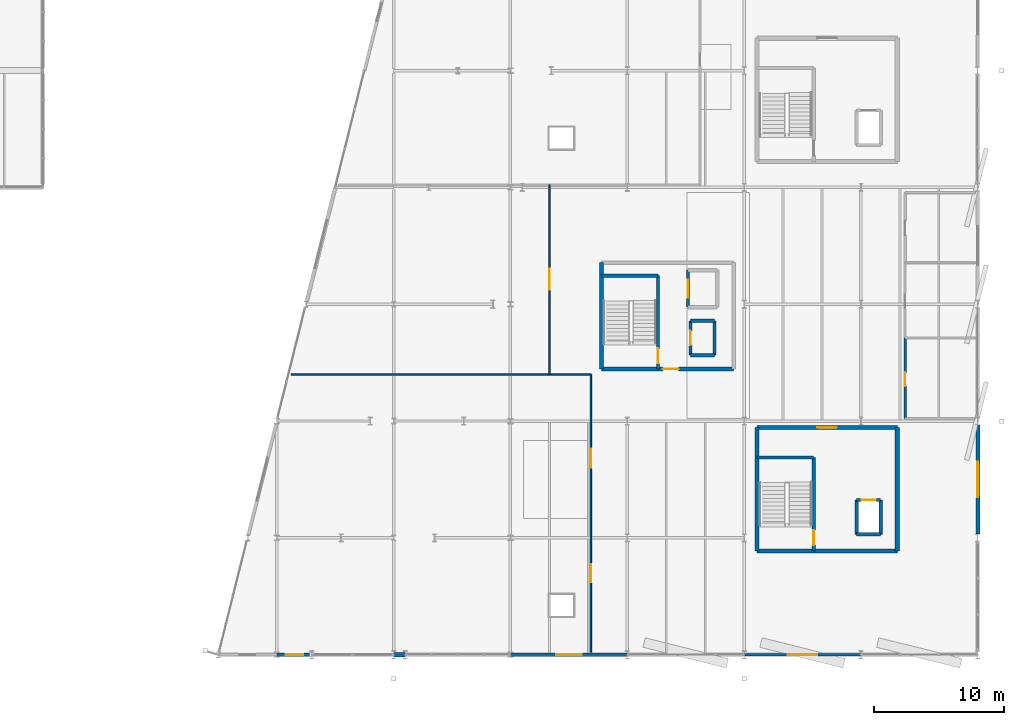
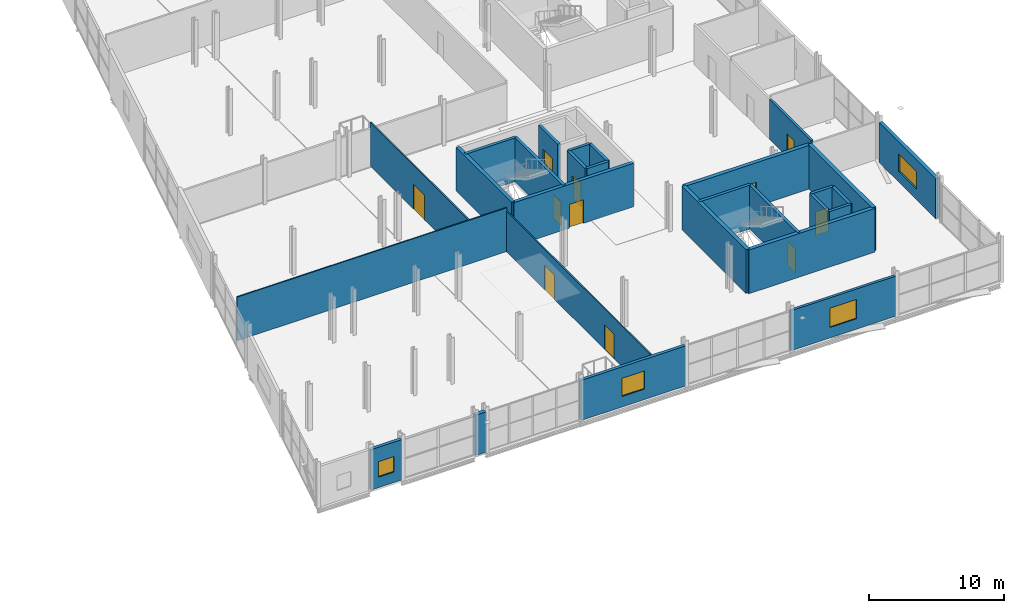
# One storey, part 73 of 88: 28 walls, 11 doors, 4 windows, 15 openings.
"""IFC4 building model written with IfcOpenShell, lengths in metres."""

from ifc_helpers import new_model, si_unit, direction, frame, frame_2d, origin, place, context, subcontext, project, spatial, rectangle, extrude, material, layer, layer_set, type_object, element, fill, save


model = new_model("IFC4")

# Units and contexts
model_context = context("Model", 3, precision=1e-05, world=origin(), true_north=direction((0.0, 1.0)))
body_context = subcontext(model_context, "Body", "Model", "MODEL_VIEW")
ifc_project = project(units=[si_unit("LENGTHUNIT", "METRE"), si_unit("AREAUNIT", "SQUARE_METRE"), si_unit("VOLUMEUNIT", "CUBIC_METRE"), si_unit("PLANEANGLEUNIT", "RADIAN"), si_unit("MASSUNIT", "GRAM", prefix="KILO")], contexts=[model_context])

# Site, building, storey
site_placement = place(None, origin())
site = spatial("IfcSite", under=ifc_project, at=site_placement, CompositionType="ELEMENT")
building_placement = place(site_placement, origin())
building = spatial("IfcBuilding", under=site, at=building_placement, Name="Deido Ridge Mobility Hub", CompositionType="ELEMENT")
storey_placement = place(building_placement, frame((0.0, 0.0, 16.800048828125)))
storey = spatial("IfcBuildingStorey", under=building, at=storey_placement, Name="L04", CompositionType="ELEMENT", Elevation=16.800048828125)

# Wall, opening, window
ifc_material_1 = material(Name="Powder-coated aluminium cladding EN AW-3003", Category="aluminium")
ifc_layer_1 = layer(ifc_material_1, 0.22509765625, Name="Powder-coated aluminium cladding EN AW-3003")
ifc_layer_set_1 = layer_set([ifc_layer_1], Name="Powder-coated aluminium cladding EN AW-3003")
wall_type_1 = type_object("IfcWallType", Name="WL-EXT-ALU-225", PredefinedType="STANDARD", material=ifc_layer_set_1)
wall_1_placement = place(storey_placement, frame((162.0078125, 0.0, 0.0), z_axis=(0.0, 0.0, 1.0), x_axis=(1.0, 0.0, 0.0)))
wall_1 = element("IfcWall", 1, at=wall_1_placement, inside=storey, type_object=wall_type_1, Name="Exterior wall EW6", PredefinedType="STANDARD", context=body_context, shape_type="SweptSolid", body=[
    extrude(rectangle(XDim=8.984375, YDim=0.22509765625, at=frame_2d((4.4921875, 0.0))), origin(), (0.0, 0.0, 1.0), 3.6298828125),
])
opening_1_placement = place(wall_1_placement, frame((3.3671875, 0.0, 0.949951171875)))
opening_1 = element("IfcOpeningElement", 2, at=opening_1_placement, cuts=wall_1, Name="Opening W10", PredefinedType="OPENING", context=body_context, shape_type="SweptSolid", body=[
    extrude(rectangle(XDim=2.25, YDim=1.75, at=frame_2d((1.125, 0.875))), frame((0.0, 0.12255859375, 0.0), z_axis=(0.0, -1.0, 0.0), x_axis=(1.0, 0.0, 0.0)), (0.0, 0.0, 1.0), 0.2451171875),
])
ifc_material_2 = material(Name="Laminated solar-control low-E glass", Category="glass")
window_type_1 = type_object("IfcWindowType", Name="WN-ALU-2250X1750", PartitioningType="DOUBLE_PANEL_VERTICAL", PredefinedType="WINDOW", material=ifc_material_2)
window_1_placement = place(opening_1_placement, origin())
window_1 = element("IfcWindow", 3, at=window_1_placement, inside=storey, type_object=window_type_1, Name="Exterior window W10", OverallHeight=1.75, OverallWidth=2.25, PartitioningType="SINGLE_PANEL", PredefinedType="WINDOW", context=body_context, shape_type="SweptSolid", body=[
    extrude(rectangle(XDim=2.25, YDim=1.75, at=frame_2d((1.125, 0.875))), frame((0.0, 0.030029296875, 0.0), z_axis=(0.0, -1.0, 0.0), x_axis=(1.0, 0.0, 0.0)), (0.0, 0.0, 1.0), 0.06005859375),
])
fill(opening_1, window_1)

ifc_material_3 = material(Name="Concrete blockwork masonry", Category="masonry")
ifc_layer_2 = layer(ifc_material_3, 0.264892578125, Name="Concrete blockwork masonry")
ifc_layer_set_2 = layer_set([ifc_layer_2], Name="Concrete blockwork masonry")
wall_type_2 = type_object("IfcWallType", Name="WL-EXT-BLK-265", PredefinedType="STANDARD", material=ifc_layer_set_2)
wall_2_placement = place(storey_placement, frame((144.0087890625, 0.0, 0.0), z_axis=(0.0, 0.0, 1.0), x_axis=(1.0, 0.0, 0.0)))
wall_2 = element("IfcWall", 4, at=wall_2_placement, inside=storey, type_object=wall_type_2, Name="Exterior wall EW3", PredefinedType="STANDARD", context=body_context, shape_type="SweptSolid", body=[
    extrude(rectangle(XDim=8.9833984375, YDim=0.264892578125, at=frame_2d((4.49169921875, 0.0))), origin(), (0.0, 0.0, 1.0), 3.6298828125),
])
opening_2_placement = place(wall_2_placement, frame((3.516845703125, 0.0, 0.949951171875)))
opening_2 = element("IfcOpeningElement", 5, at=opening_2_placement, cuts=wall_2, Name="Opening W8", PredefinedType="OPENING", context=body_context, shape_type="SweptSolid", body=[
    extrude(rectangle(XDim=1.949951171875, YDim=1.64990234375, at=frame_2d((0.97509765625, 0.824951171875))), frame((0.0, 0.142578125, 0.0), z_axis=(0.0, -1.0, 0.0), x_axis=(1.0, 0.0, 0.0)), (0.0, 0.0, 1.0), 0.284912109375),
])
window_type_2 = type_object("IfcWindowType", Name="WN-ALU-1950X1650", PartitioningType="DOUBLE_PANEL_VERTICAL", PredefinedType="WINDOW", material=ifc_material_2)
window_2_placement = place(opening_2_placement, origin())
window_2 = element("IfcWindow", 6, at=window_2_placement, inside=storey, type_object=window_type_2, Name="Exterior window W8", OverallHeight=1.64990234375, OverallWidth=1.949951171875, PartitioningType="SINGLE_PANEL", PredefinedType="WINDOW", context=body_context, shape_type="SweptSolid", body=[
    extrude(rectangle(XDim=1.949951171875, YDim=1.64990234375, at=frame_2d((0.97509765625, 0.824951171875))), frame((0.0, 0.030029296875, 0.0), z_axis=(0.0, -1.0, 0.0), x_axis=(1.0, 0.0, 0.0)), (0.0, 0.0, 1.0), 0.06005859375),
])
fill(opening_2, window_2)

ifc_material_4 = material(Name="Fired clay brick masonry", Category="masonry")
ifc_layer_3 = layer(ifc_material_4, 0.31005859375, Name="Fired clay brick masonry")
ifc_layer_set_3 = layer_set([ifc_layer_3], Name="Fired clay brick masonry")
wall_type_3 = type_object("IfcWallType", Name="WL-EXT-BRK-310", PredefinedType="STANDARD", material=ifc_layer_set_3)
wall_3_placement = place(storey_placement, frame((180.0, 9.300048828125, 0.0), z_axis=(0.0, 0.0, 1.0), x_axis=(0.0, 1.0, 0.0)))
wall_3 = element("IfcWall", 7, at=wall_3_placement, inside=storey, type_object=wall_type_3, Name="Exterior wall EW1", PredefinedType="STANDARD", context=body_context, shape_type="SweptSolid", body=[
    extrude(rectangle(XDim=8.39990234375, YDim=0.31005859375, at=frame_2d((4.199951171875, 0.0))), origin(), (0.0, 0.0, 1.0), 3.6298828125),
])
opening_3_placement = place(wall_3_placement, frame((2.85009765625, 0.0, 0.949951171875)))
opening_3 = element("IfcOpeningElement", 8, at=opening_3_placement, cuts=wall_3, Name="Opening W13", PredefinedType="OPENING", context=body_context, shape_type="SweptSolid", body=[
    extrude(rectangle(XDim=2.699951171875, YDim=1.60009765625, at=frame_2d((1.35009765625, 0.800048828125))), frame((0.0, 0.1650390625, 0.0), z_axis=(0.0, -1.0, 0.0), x_axis=(1.0, 0.0, 0.0)), (0.0, 0.0, 1.0), 0.330078125),
])
window_type_3 = type_object("IfcWindowType", Name="WN-ALU-2700X1600", PartitioningType="DOUBLE_PANEL_VERTICAL", PredefinedType="WINDOW", material=ifc_material_2)
window_3_placement = place(opening_3_placement, origin())
window_3 = element("IfcWindow", 9, at=window_3_placement, inside=storey, type_object=window_type_3, Name="Exterior window W13", OverallHeight=1.60009765625, OverallWidth=2.699951171875, PartitioningType="SINGLE_PANEL", PredefinedType="WINDOW", context=body_context, shape_type="SweptSolid", body=[
    extrude(rectangle(XDim=2.699951171875, YDim=1.60009765625, at=frame_2d((1.35009765625, 0.800048828125))), frame((0.0, 0.030029296875, 0.0), z_axis=(0.0, -1.0, 0.0), x_axis=(1.0, 0.0, 0.0)), (0.0, 0.0, 1.0), 0.06005859375),
])
fill(opening_3, window_3)

# Walls
ifc_material_5 = material(Name="Concrete C35/45", Category="concrete")
ifc_layer_4 = layer(ifc_material_5, 0.340087890625, Name="Concrete C35/45")
ifc_layer_set_4 = layer_set([ifc_layer_4], Name="Concrete C35/45")
wall_type_4 = type_object("IfcWallType", Name="WL-EXT-RC-340", PredefinedType="STANDARD", material=ifc_layer_set_4)
wall_4_placement = place(storey_placement, frame((135.0078125, 0.0, 0.0), z_axis=(0.0, 0.0, 1.0), x_axis=(1.0, 0.0, 0.0)))
element("IfcWall", 10, at=wall_4_placement, inside=storey, type_object=wall_type_4, Name="Exterior wall EW5", PredefinedType="STANDARD", context=body_context, shape_type="SweptSolid", body=[
    extrude(rectangle(XDim=0.884521484375, YDim=0.340087890625, at=frame_2d((0.4423828125, 0.0))), origin(), (0.0, 0.0, 1.0), 3.659912109375),
])
ifc_material_6 = material(Name="Treated tropical hardwood timber D40", Category="wood")
ifc_layer_5 = layer(ifc_material_6, 0.10498046875, Name="Treated tropical hardwood timber D40")
ifc_layer_set_5 = layer_set([ifc_layer_5], Name="Treated tropical hardwood timber D40")
wall_type_5 = type_object("IfcWallType", Name="WL-MOV-ACO-105", PredefinedType="MOVABLE", material=ifc_layer_set_5)
wall_5_placement = place(storey_placement, frame((127.10009765625, 21.60009765625, 0.0), z_axis=(0.0, 0.0, 1.0), x_axis=(1.0, 0.0, 0.0)))
element("IfcWall", 11, at=wall_5_placement, inside=storey, type_object=wall_type_5, Name="V6 south-central cross wall (L04)", PredefinedType="MOVABLE", context=body_context, shape_type="SweptSolid", body=[
    extrude(rectangle(XDim=23.099853515625, YDim=0.10498046875, at=frame_2d((11.5498046875, 0.0))), origin(), (0.0, 0.0, 1.0), 3.954833984375),
])

# Wall, opening, door
ifc_layer_6 = layer(ifc_material_6, 0.114990234375, Name="Treated tropical hardwood timber D40")
ifc_layer_set_6 = layer_set([ifc_layer_6], Name="Treated tropical hardwood timber D40")
wall_type_6 = type_object("IfcWallType", Name="WL-MOV-ACO-115", PredefinedType="MOVABLE", material=ifc_layer_set_6)
wall_6_placement = place(storey_placement, frame((147.0, 21.60009765625, 0.0), z_axis=(0.0, 0.0, 1.0), x_axis=(0.0, 1.0, 0.0)))
wall_6 = element("IfcWall", 12, at=wall_6_placement, inside=storey, type_object=wall_type_6, Name="V6 central room wall (L04)", PredefinedType="MOVABLE", context=body_context, shape_type="SweptSolid", body=[
    extrude(rectangle(XDim=14.599853515625, YDim=0.114990234375, at=frame_2d((7.2998046875, 0.0))), origin(), (0.0, 0.0, 1.0), 3.954833984375),
])
opening_4_placement = place(wall_6_placement, frame((6.5, 0.0, 0.0)))
opening_4 = element("IfcOpeningElement", 13, at=opening_4_placement, cuts=wall_6, Name="Opening DR-L04-178", PredefinedType="OPENING", context=body_context, shape_type="SweptSolid", body=[
    extrude(rectangle(XDim=1.64990234375, YDim=2.25, at=frame_2d((0.824951171875, 1.125))), frame((0.0, 0.0673828125, 0.0), z_axis=(0.0, -1.0, 0.0), x_axis=(1.0, 0.0, 0.0)), (0.0, 0.0, 1.0), 0.135009765625),
])
door_type_1 = type_object("IfcDoorType", Name="DR-INT-1650X2250", OperationType="DOUBLE_DOOR_SINGLE_SWING", PredefinedType="DOOR", material=ifc_material_6)
door_1_placement = place(opening_4_placement, origin())
door_1 = element("IfcDoor", 14, at=door_1_placement, inside=storey, type_object=door_type_1, Name="DR-I0178 V6 central room door (L04)", OperationType="DOUBLE_DOOR_SINGLE_SWING", OverallHeight=2.25, OverallWidth=1.64990234375, PredefinedType="DOOR", context=body_context, shape_type="SweptSolid", body=[
    extrude(rectangle(XDim=1.64990234375, YDim=2.25, at=frame_2d((0.824951171875, 1.125))), frame((0.0, 0.02490234375, 0.0), z_axis=(0.0, -1.0, 0.0), x_axis=(1.0, 0.0, 0.0)), (0.0, 0.0, 1.0), 0.050048828125),
])
fill(opening_4, door_1)

# Wall, opening, window
ifc_layer_7 = layer(ifc_material_4, 0.27490234375, Name="Fired clay brick masonry")
ifc_layer_set_7 = layer_set([ifc_layer_7], Name="Fired clay brick masonry")
wall_type_7 = type_object("IfcWallType", Name="WL-PLG-BRK-275", PredefinedType="POLYGONAL", material=ifc_layer_set_7)
wall_7_placement = place(storey_placement, frame((126.0087890625, 0.0, 0.0), z_axis=(0.0, 0.0, 1.0), x_axis=(1.0, 0.0, 0.0)))
wall_7 = element("IfcWall", 15, at=wall_7_placement, inside=storey, type_object=wall_type_7, Name="Exterior wall PGW1", PredefinedType="POLYGONAL", context=body_context, shape_type="SweptSolid", body=[
    extrude(rectangle(XDim=2.68359375, YDim=0.27490234375, at=frame_2d((1.341796875, 0.0))), origin(), (0.0, 0.0, 1.0), 3.659912109375),
])
opening_5_placement = place(wall_7_placement, frame((0.666748046875, 0.0, 0.949951171875)))
opening_5 = element("IfcOpeningElement", 16, at=opening_5_placement, cuts=wall_7, Name="Opening W4", PredefinedType="OPENING", context=body_context, shape_type="SweptSolid", body=[
    extrude(rectangle(XDim=1.35009765625, YDim=1.39990234375, at=frame_2d((0.675048828125, 0.699951171875))), frame((0.0, 0.1474609375, 0.0), z_axis=(0.0, -1.0, 0.0), x_axis=(1.0, 0.0, 0.0)), (0.0, 0.0, 1.0), 0.294921875),
])
window_type_4 = type_object("IfcWindowType", Name="WN-ALU-1350X1400", PartitioningType="SINGLE_PANEL", PredefinedType="WINDOW", material=ifc_material_2)
window_4_placement = place(opening_5_placement, origin())
window_4 = element("IfcWindow", 17, at=window_4_placement, inside=storey, type_object=window_type_4, Name="Exterior window W4", OverallHeight=1.39990234375, OverallWidth=1.35009765625, PartitioningType="SINGLE_PANEL", PredefinedType="WINDOW", context=body_context, shape_type="SweptSolid", body=[
    extrude(rectangle(XDim=1.35009765625, YDim=1.39990234375, at=frame_2d((0.675048828125, 0.699951171875))), frame((0.0, 0.030029296875, 0.0), z_axis=(0.0, -1.0, 0.0), x_axis=(1.0, 0.0, 0.0)), (0.0, 0.0, 1.0), 0.06005859375),
])
fill(opening_5, window_4)

# Wall, openings, doors
ifc_layer_8 = layer(ifc_material_3, 0.110107421875, Name="Concrete blockwork masonry")
ifc_layer_set_8 = layer_set([ifc_layer_8], Name="Concrete blockwork masonry")
wall_type_8 = type_object("IfcWallType", Name="WL-PRT-BLK-110", PredefinedType="PARTITIONING", material=ifc_layer_set_8)
wall_8_placement = place(storey_placement, frame((150.199951171875, 0.199951171875, 0.0), z_axis=(0.0, 0.0, 1.0), x_axis=(0.0, 1.0, 0.0)))
wall_8 = element("IfcWall", 18, at=wall_8_placement, inside=storey, type_object=wall_type_8, Name="V6 south-west suite wall (L04)", PredefinedType="PARTITIONING", context=body_context, shape_type="SweptSolid", body=[
    extrude(rectangle(XDim=21.400146484375, YDim=0.110107421875, at=frame_2d((10.7001953125, 0.0))), origin(), (0.0, 0.0, 1.0), 3.659912109375),
])
opening_6_placement = place(wall_8_placement, frame((5.39990234375, 0.0, 0.0)))
opening_6 = element("IfcOpeningElement", 19, at=opening_6_placement, cuts=wall_8, Name="Opening DR-L04-176", PredefinedType="OPENING", context=body_context, shape_type="SweptSolid", body=[
    extrude(rectangle(XDim=1.3798828125, YDim=2.199951171875, at=frame_2d((0.68994140625, 1.10009765625))), frame((0.0, 0.06494140625, 0.0), z_axis=(0.0, -1.0, 0.0), x_axis=(1.0, 0.0, 0.0)), (0.0, 0.0, 1.0), 0.130126953125),
])
opening_7_placement = place(wall_8_placement, frame((14.199951171875, 0.0, 0.0)))
opening_7 = element("IfcOpeningElement", 20, at=opening_7_placement, cuts=wall_8, Name="Opening DR-L04-177", PredefinedType="OPENING", context=body_context, shape_type="SweptSolid", body=[
    extrude(rectangle(XDim=1.449951171875, YDim=2.219970703125, at=frame_2d((0.72509765625, 1.10986328125))), frame((0.0, 0.06494140625, 0.0), z_axis=(0.0, -1.0, 0.0), x_axis=(1.0, 0.0, 0.0)), (0.0, 0.0, 1.0), 0.130126953125),
])
door_type_2 = type_object("IfcDoorType", Name="DR-INT-1380X2200", OperationType="NOTDEFINED", PredefinedType="DOOR", material=ifc_material_6)
door_2_placement = place(opening_6_placement, origin())
door_2 = element("IfcDoor", 21, at=door_2_placement, inside=storey, type_object=door_type_2, Name="DR-I0176 V6 south-west suite door 1 (L04)", OperationType="SINGLE_SWING_RIGHT", OverallHeight=2.199951171875, OverallWidth=1.3798828125, PredefinedType="DOOR", context=body_context, shape_type="SweptSolid", body=[
    extrude(rectangle(XDim=1.3798828125, YDim=2.199951171875, at=frame_2d((0.68994140625, 1.10009765625))), frame((0.0, 0.02490234375, 0.0), z_axis=(0.0, -1.0, 0.0), x_axis=(1.0, 0.0, 0.0)), (0.0, 0.0, 1.0), 0.050048828125),
])
fill(opening_6, door_2)
door_type_3 = type_object("IfcDoorType", Name="DR-INT-1450X2220", OperationType="DOUBLE_DOOR_SINGLE_SWING", PredefinedType="DOOR", material=ifc_material_6)
door_3_placement = place(opening_7_placement, origin())
door_3 = element("IfcDoor", 22, at=door_3_placement, inside=storey, type_object=door_type_3, Name="DR-I0177 V6 south-west suite door 2 (L04)", OperationType="DOUBLE_DOOR_SINGLE_SWING", OverallHeight=2.219970703125, OverallWidth=1.449951171875, PredefinedType="DOOR", context=body_context, shape_type="SweptSolid", body=[
    extrude(rectangle(XDim=1.449951171875, YDim=2.219970703125, at=frame_2d((0.72509765625, 1.10986328125))), frame((0.0, 0.02490234375, 0.0), z_axis=(0.0, -1.0, 0.0), x_axis=(1.0, 0.0, 0.0)), (0.0, 0.0, 1.0), 0.050048828125),
])
fill(opening_7, door_3)

# Wall, opening, door
ifc_layer_9 = layer(ifc_material_3, 0.179931640625, Name="Concrete blockwork masonry")
ifc_layer_set_9 = layer_set([ifc_layer_9], Name="Concrete blockwork masonry")
wall_type_9 = type_object("IfcWallType", Name="WL-PRT-BLK-180", PredefinedType="PARTITIONING", material=ifc_layer_set_9)
wall_9_placement = place(storey_placement, frame((174.39990234375, 18.199951171875, 0.0), z_axis=(0.0, 0.0, 1.0), x_axis=(0.0, 1.0, 0.0)))
wall_9 = element("IfcWall", 23, at=wall_9_placement, inside=storey, type_object=wall_type_9, Name="Male WC west wall (L04)", PredefinedType="PARTITIONING", context=body_context, shape_type="SweptSolid", body=[
    extrude(rectangle(XDim=6.199951171875, YDim=0.179931640625, at=frame_2d((3.10009765625, 0.0))), origin(), (0.0, 0.0, 1.0), 3.6298828125),
])
opening_8_placement = place(wall_9_placement, frame((2.5, 0.0, 0.0)))
opening_8 = element("IfcOpeningElement", 24, at=opening_8_placement, cuts=wall_9, Name="Opening DR-L04-173", PredefinedType="OPENING", context=body_context, shape_type="SweptSolid", body=[
    extrude(rectangle(XDim=1.050048828125, YDim=2.10009765625, at=frame_2d((0.52490234375, 1.050048828125))), frame((0.0, 0.10009765625, 0.0), z_axis=(0.0, -1.0, 0.0), x_axis=(1.0, 0.0, 0.0)), (0.0, 0.0, 1.0), 0.199951171875),
])
ifc_material_7 = material(Name="Galvanised steel work", Category="steel")
door_type_4 = type_object("IfcDoorType", Name="DR-FD60-1050X2100", OperationType="NOTDEFINED", PredefinedType="DOOR", material=ifc_material_7)
door_4_placement = place(opening_8_placement, origin())
door_4 = element("IfcDoor", 25, at=door_4_placement, inside=storey, type_object=door_type_4, Name="DR-I0173 Male WC door (L04)", OperationType="SINGLE_SWING_LEFT", OverallHeight=2.10009765625, OverallWidth=1.050048828125, PredefinedType="DOOR", context=body_context, shape_type="SweptSolid", body=[
    extrude(rectangle(XDim=1.050048828125, YDim=2.10009765625, at=frame_2d((0.52490234375, 1.050048828125))), frame((0.0, 0.02490234375, 0.0), z_axis=(0.0, -1.0, 0.0), x_axis=(1.0, 0.0, 0.0)), (0.0, 0.0, 1.0), 0.050048828125),
])
fill(opening_8, door_4)

ifc_material_8 = material(Name="Concrete C40/50", Category="concrete")
ifc_layer_10 = layer(ifc_material_8, 0.25, Name="Concrete C40/50")
ifc_layer_set_10 = layer_set([ifc_layer_10], Name="Concrete C40/50")
wall_type_10 = type_object("IfcWallType", Name="WL-SHR-RC-250", PredefinedType="SHEAR", material=ifc_layer_set_10)
wall_10_placement = place(storey_placement, frame((167.360107421875, 8.0, 0.0), z_axis=(0.0, 0.0, 1.0), x_axis=(0.0, 1.0, 0.0)))
wall_10 = element("IfcWall", 26, at=wall_10_placement, inside=storey, type_object=wall_type_10, Name="C1 stair shaft east wall", PredefinedType="SHEAR", context=body_context, shape_type="SweptSolid", body=[
    extrude(rectangle(XDim=7.199951171875, YDim=0.25, at=frame_2d((3.60009765625, 0.0))), origin(), (0.0, 0.0, 1.0), 3.954833984375),
])
opening_9_placement = place(wall_10_placement, frame((0.449951171875, 0.0, 0.0)))
opening_9 = element("IfcOpeningElement", 27, at=opening_9_placement, cuts=wall_10, Name="Opening FD-C1-L04", PredefinedType="OPENING", context=body_context, shape_type="SweptSolid", body=[
    extrude(rectangle(XDim=1.14990234375, YDim=2.14990234375, at=frame_2d((0.574951171875, 1.074951171875))), frame((0.0, 0.135009765625, 0.0), z_axis=(0.0, -1.0, 0.0), x_axis=(1.0, 0.0, 0.0)), (0.0, 0.0, 1.0), 0.27001953125),
])
door_type_5 = type_object("IfcDoorType", Name="DR-FD60-1150X2150", OperationType="NOTDEFINED", PredefinedType="DOOR", material=ifc_material_7)
door_5_placement = place(opening_9_placement, origin())
door_5 = element("IfcDoor", 28, at=door_5_placement, inside=storey, type_object=door_type_5, Name="DR-I0016 C1 protected stair door (L04)", OperationType="SINGLE_SWING_RIGHT", OverallHeight=2.14990234375, OverallWidth=1.14990234375, PredefinedType="DOOR", context=body_context, shape_type="SweptSolid", body=[
    extrude(rectangle(XDim=1.14990234375, YDim=2.14990234375, at=frame_2d((0.574951171875, 1.074951171875))), frame((0.0, 0.02490234375, 0.0), z_axis=(0.0, -1.0, 0.0), x_axis=(1.0, 0.0, 0.0)), (0.0, 0.0, 1.0), 0.050048828125),
])
fill(opening_9, door_5)

# Walls
wall_11_placement = place(storey_placement, frame((163.0, 15.199951171875, 0.0), z_axis=(0.0, 0.0, 1.0), x_axis=(1.0, 0.0, 0.0)))
element("IfcWall", 29, at=wall_11_placement, inside=storey, type_object=wall_type_10, Name="C1 stair shaft north wall", PredefinedType="SHEAR", context=body_context, shape_type="SweptSolid", body=[
    extrude(rectangle(XDim=4.360107421875, YDim=0.25, at=frame_2d((2.18017578125, 0.0))), origin(), (0.0, 0.0, 1.0), 3.954833984375),
])
wall_12_placement = place(storey_placement, frame((170.675048828125, 9.27490234375, 0.0), z_axis=(0.0, 0.0, 1.0), x_axis=(1.0, 0.0, 0.0)))
element("IfcWall", 30, at=wall_12_placement, inside=storey, type_object=wall_type_10, Name="Lift FL1 rear shaft wall", PredefinedType="SHEAR", context=body_context, shape_type="SweptSolid", body=[
    extrude(rectangle(XDim=1.849853515625, YDim=0.25, at=frame_2d((0.9248046875, 0.0))), origin(), (0.0, 0.0, 1.0), 3.954833984375),
])
for number, where, z_axis, x_axis, name in (
    (31, (170.675048828125, 9.27490234375, 0.0), (0.0, 0.0, 1.0), (0.0, 1.0, 0.0), "Lift FL1 west shaft wall"),
    (32, (172.52490234375, 9.27490234375, 0.0), (0.0, 0.0, 1.0), (0.0, 1.0, 0.0), "Lift FL1 east shaft wall"),
):
    element("IfcWall", number, at=place(storey_placement, frame(where, z_axis=z_axis, x_axis=x_axis)), inside=storey, type_object=wall_type_10, Name=name, PredefinedType="SHEAR", context=body_context, shape_type="SweptSolid", body=[
        extrude(rectangle(XDim=2.650146484375, YDim=0.25, at=frame_2d((1.3251953125, 0.0))), origin(), (0.0, 0.0, 1.0), 3.954833984375),
    ])

# Wall, opening, door
wall_13_placement = place(storey_placement, frame((170.675048828125, 11.925048828125, 0.0), z_axis=(0.0, 0.0, 1.0), x_axis=(1.0, 0.0, 0.0)))
wall_13 = element("IfcWall", 33, at=wall_13_placement, inside=storey, type_object=wall_type_10, Name="Lift FL1 landing wall", PredefinedType="SHEAR", context=body_context, shape_type="SweptSolid", body=[
    extrude(rectangle(XDim=1.849853515625, YDim=0.25, at=frame_2d((0.9248046875, 0.0))), origin(), (0.0, 0.0, 1.0), 3.954833984375),
])
opening_10_placement = place(wall_13_placement, frame((0.375, 0.0, 0.0)))
opening_10 = element("IfcOpeningElement", 34, at=opening_10_placement, cuts=wall_13, Name="Opening LD-FL1", PredefinedType="OPENING", context=body_context, shape_type="SweptSolid", body=[
    extrude(rectangle(XDim=1.10009765625, YDim=2.14990234375, at=frame_2d((0.550048828125, 1.074951171875))), frame((0.0, 0.135009765625, 0.0), z_axis=(0.0, -1.0, 0.0), x_axis=(1.0, 0.0, 0.0)), (0.0, 0.0, 1.0), 0.27001953125),
])
ifc_material_9 = material(Name="Stainless steel 316", Category="steel")
door_type_6 = type_object("IfcDoorType", Name="DR-LND-PAS-1100X2150", OperationType="DOUBLE_DOOR_SLIDING", PredefinedType="USERDEFINED", material=ifc_material_9)
door_6_placement = place(opening_10_placement, origin())
door_6 = element("IfcDoor", 35, at=door_6_placement, inside=storey, type_object=door_type_6, Name="DR-I0018 Lift FL1 sliding landing door (L04)", ObjectType="LANDING DOOR", OperationType="DOUBLE_DOOR_SLIDING", OverallHeight=2.14990234375, OverallWidth=1.10009765625, PredefinedType="USERDEFINED", context=body_context, shape_type="SweptSolid", body=[
    extrude(rectangle(XDim=1.10009765625, YDim=2.14990234375, at=frame_2d((0.550048828125, 1.074951171875))), frame((0.0, 0.02490234375, 0.0), z_axis=(0.0, -1.0, 0.0), x_axis=(1.0, 0.0, 0.0)), (0.0, 0.0, 1.0), 0.050048828125),
])
fill(opening_10, door_6)

wall_14_placement = place(storey_placement, frame((155.360107421875, 22.0, 0.0), z_axis=(0.0, 0.0, 1.0), x_axis=(0.0, 1.0, 0.0)))
wall_14 = element("IfcWall", 36, at=wall_14_placement, inside=storey, type_object=wall_type_10, Name="C3 stair shaft east wall", PredefinedType="SHEAR", context=body_context, shape_type="SweptSolid", body=[
    extrude(rectangle(XDim=7.199951171875, YDim=0.25, at=frame_2d((3.60009765625, 0.0))), origin(), (0.0, 0.0, 1.0), 3.954833984375),
])
opening_11_placement = place(wall_14_placement, frame((0.449951171875, 0.0, 0.0)))
opening_11 = element("IfcOpeningElement", 37, at=opening_11_placement, cuts=wall_14, Name="Opening FD-C3-L04", PredefinedType="OPENING", context=body_context, shape_type="SweptSolid", body=[
    extrude(rectangle(XDim=1.14990234375, YDim=2.14990234375, at=frame_2d((0.574951171875, 1.074951171875))), frame((0.0, 0.135009765625, 0.0), z_axis=(0.0, -1.0, 0.0), x_axis=(1.0, 0.0, 0.0)), (0.0, 0.0, 1.0), 0.27001953125),
])
door_7_placement = place(opening_11_placement, origin())
door_7 = element("IfcDoor", 38, at=door_7_placement, inside=storey, type_object=door_type_5, Name="DR-I0069 C3 protected stair door (L04)", OperationType="SINGLE_SWING_LEFT", OverallHeight=2.14990234375, OverallWidth=1.14990234375, PredefinedType="DOOR", context=body_context, shape_type="SweptSolid", body=[
    extrude(rectangle(XDim=1.14990234375, YDim=2.14990234375, at=frame_2d((0.574951171875, 1.074951171875))), frame((0.0, 0.02490234375, 0.0), z_axis=(0.0, -1.0, 0.0), x_axis=(1.0, 0.0, 0.0)), (0.0, 0.0, 1.0), 0.050048828125),
])
fill(opening_11, door_7)

# Walls
wall_15_placement = place(storey_placement, frame((151.0, 29.199951171875, 0.0), z_axis=(0.0, 0.0, 1.0), x_axis=(1.0, 0.0, 0.0)))
element("IfcWall", 39, at=wall_15_placement, inside=storey, type_object=wall_type_10, Name="C3 stair shaft north wall", PredefinedType="SHEAR", context=body_context, shape_type="SweptSolid", body=[
    extrude(rectangle(XDim=4.360107421875, YDim=0.25, at=frame_2d((2.18017578125, 0.0))), origin(), (0.0, 0.0, 1.0), 3.954833984375),
])
for number, where, z_axis, x_axis, name in (
    (40, (157.875, 23.074951171875, 0.0), (0.0, 0.0, 1.0), (1.0, 0.0, 0.0), "Lift PL1 south shaft wall"),
    (41, (157.875, 25.72509765625, 0.0), (0.0, 0.0, 1.0), (1.0, 0.0, 0.0), "Lift PL1 north shaft wall"),
):
    element("IfcWall", number, at=place(storey_placement, frame(where, z_axis=z_axis, x_axis=x_axis)), inside=storey, type_object=wall_type_10, Name=name, PredefinedType="SHEAR", context=body_context, shape_type="SweptSolid", body=[
        extrude(rectangle(XDim=1.85009765625, YDim=0.25, at=frame_2d((0.925048828125, 0.0))), origin(), (0.0, 0.0, 1.0), 3.954833984375),
    ])
wall_16_placement = place(storey_placement, frame((159.72509765625, 23.074951171875, 0.0), z_axis=(0.0, 0.0, 1.0), x_axis=(0.0, 1.0, 0.0)))
element("IfcWall", 42, at=wall_16_placement, inside=storey, type_object=wall_type_10, Name="Lift PL1 rear shaft wall", PredefinedType="SHEAR", context=body_context, shape_type="SweptSolid", body=[
    extrude(rectangle(XDim=2.650146484375, YDim=0.25, at=frame_2d((1.3251953125, 0.0))), origin(), (0.0, 0.0, 1.0), 3.954833984375),
])

# Wall, opening, door
wall_17_placement = place(storey_placement, frame((157.875, 23.074951171875, 0.0), z_axis=(0.0, 0.0, 1.0), x_axis=(0.0, 1.0, 0.0)))
wall_17 = element("IfcWall", 43, at=wall_17_placement, inside=storey, type_object=wall_type_10, Name="Lift PL1 landing wall", PredefinedType="SHEAR", context=body_context, shape_type="SweptSolid", body=[
    extrude(rectangle(XDim=2.650146484375, YDim=0.25, at=frame_2d((1.3251953125, 0.0))), origin(), (0.0, 0.0, 1.0), 3.954833984375),
])
opening_12_placement = place(wall_17_placement, frame((0.77490234375, 0.0, 0.0)))
opening_12 = element("IfcOpeningElement", 44, at=opening_12_placement, cuts=wall_17, Name="Opening LD-PL1", PredefinedType="OPENING", context=body_context, shape_type="SweptSolid", body=[
    extrude(rectangle(XDim=1.10009765625, YDim=2.14990234375, at=frame_2d((0.550048828125, 1.074951171875))), frame((0.0, 0.135009765625, 0.0), z_axis=(0.0, -1.0, 0.0), x_axis=(1.0, 0.0, 0.0)), (0.0, 0.0, 1.0), 0.27001953125),
])
door_8_placement = place(opening_12_placement, origin())
door_8 = element("IfcDoor", 45, at=door_8_placement, inside=storey, type_object=door_type_6, Name="DR-I0071 Lift PL1 sliding landing door (L04)", ObjectType="LANDING DOOR", OperationType="DOUBLE_DOOR_SLIDING", OverallHeight=2.14990234375, OverallWidth=1.10009765625, PredefinedType="USERDEFINED", context=body_context, shape_type="SweptSolid", body=[
    extrude(rectangle(XDim=1.10009765625, YDim=2.14990234375, at=frame_2d((0.550048828125, 1.074951171875))), frame((0.0, 0.02490234375, 0.0), z_axis=(0.0, -1.0, 0.0), x_axis=(1.0, 0.0, 0.0)), (0.0, 0.0, 1.0), 0.050048828125),
])
fill(opening_12, door_8)

wall_18_placement = place(storey_placement, frame((157.675048828125, 26.77490234375, 0.0), z_axis=(0.0, 0.0, 1.0), x_axis=(0.0, 1.0, 0.0)))
wall_18 = element("IfcWall", 46, at=wall_18_placement, inside=storey, type_object=wall_type_10, Name="Lift GL1 landing wall", PredefinedType="SHEAR", context=body_context, shape_type="SweptSolid", body=[
    extrude(rectangle(XDim=2.85009765625, YDim=0.25, at=frame_2d((1.425048828125, 0.0))), origin(), (0.0, 0.0, 1.0), 3.954833984375),
])
opening_13_placement = place(wall_18_placement, frame((0.72509765625, 0.0, 0.0)))
opening_13 = element("IfcOpeningElement", 47, at=opening_13_placement, cuts=wall_18, Name="Opening LD-GL1", PredefinedType="OPENING", context=body_context, shape_type="SweptSolid", body=[
    extrude(rectangle(XDim=1.39990234375, YDim=2.199951171875, at=frame_2d((0.699951171875, 1.10009765625))), frame((0.0, 0.135009765625, 0.0), z_axis=(0.0, -1.0, 0.0), x_axis=(1.0, 0.0, 0.0)), (0.0, 0.0, 1.0), 0.27001953125),
])
door_type_7 = type_object("IfcDoorType", Name="DR-LND-GDS-1400X2200", OperationType="DOUBLE_DOOR_SLIDING", PredefinedType="USERDEFINED", material=ifc_material_9)
door_9_placement = place(opening_13_placement, origin())
door_9 = element("IfcDoor", 48, at=door_9_placement, inside=storey, type_object=door_type_7, Name="DR-I0072 Lift GL1 sliding landing door (L04)", ObjectType="LANDING DOOR", OperationType="DOUBLE_DOOR_SLIDING", OverallHeight=2.199951171875, OverallWidth=1.39990234375, PredefinedType="USERDEFINED", context=body_context, shape_type="SweptSolid", body=[
    extrude(rectangle(XDim=1.39990234375, YDim=2.199951171875, at=frame_2d((0.699951171875, 1.10009765625))), frame((0.0, 0.02490234375, 0.0), z_axis=(0.0, -1.0, 0.0), x_axis=(1.0, 0.0, 0.0)), (0.0, 0.0, 1.0), 0.050048828125),
])
fill(opening_13, door_9)

ifc_layer_11 = layer(ifc_material_8, 0.300048828125, Name="Concrete C40/50")
ifc_layer_set_11 = layer_set([ifc_layer_11], Name="Concrete C40/50")
wall_type_11 = type_object("IfcWallType", Name="WL-SHR-RC-300", PredefinedType="SHEAR", material=ifc_layer_set_11)
wall_19_placement = place(storey_placement, frame((151.0, 22.0, 0.0), z_axis=(0.0, 0.0, 1.0), x_axis=(1.0, 0.0, 0.0)))
wall_19 = element("IfcWall", 49, at=wall_19_placement, inside=storey, type_object=wall_type_11, Name="C3 south shear wall", PredefinedType="SHEAR", context=body_context, shape_type="SweptSolid", body=[
    extrude(rectangle(XDim=10.199951171875, YDim=0.300048828125, at=frame_2d((5.10009765625, 0.0))), origin(), (0.0, 0.0, 1.0), 3.954833984375),
])
opening_14_placement = place(wall_19_placement, frame((4.75, 0.0, 0.0)))
opening_14 = element("IfcOpeningElement", 50, at=opening_14_placement, cuts=wall_19, Name="Opening LD-C3-070", PredefinedType="OPENING", context=body_context, shape_type="SweptSolid", body=[
    extrude(rectangle(XDim=1.199951171875, YDim=2.14990234375, at=frame_2d((0.60009765625, 1.074951171875))), frame((0.0, 0.16015625, 0.0), z_axis=(0.0, -1.0, 0.0), x_axis=(1.0, 0.0, 0.0)), (0.0, 0.0, 1.0), 0.320068359375),
])
door_type_8 = type_object("IfcDoorType", Name="DR-FD60-1200X2150", OperationType="NOTDEFINED", PredefinedType="DOOR", material=ifc_material_7)
door_10_placement = place(opening_14_placement, origin())
door_10 = element("IfcDoor", 51, at=door_10_placement, inside=storey, type_object=door_type_8, Name="DR-I0070 C3 lift lobby door (L04)", OperationType="SINGLE_SWING_RIGHT", OverallHeight=2.14990234375, OverallWidth=1.199951171875, PredefinedType="DOOR", context=body_context, shape_type="SweptSolid", body=[
    extrude(rectangle(XDim=1.199951171875, YDim=2.14990234375, at=frame_2d((0.60009765625, 1.074951171875))), frame((0.0, 0.02490234375, 0.0), z_axis=(0.0, -1.0, 0.0), x_axis=(1.0, 0.0, 0.0)), (0.0, 0.0, 1.0), 0.050048828125),
])
fill(opening_14, door_10)

# Walls
wall_20_placement = place(storey_placement, frame((151.0, 30.199951171875, 0.0), z_axis=(0.0, 0.0, 1.0), x_axis=(0.0, -1.0, 0.0)))
element("IfcWall", 52, at=wall_20_placement, inside=storey, type_object=wall_type_11, Name="C3 west shear wall", PredefinedType="SHEAR", context=body_context, shape_type="SweptSolid", body=[
    extrude(rectangle(XDim=8.199951171875, YDim=0.300048828125, at=frame_2d((4.10009765625, 0.0))), origin(), (0.0, 0.0, 1.0), 3.954833984375),
])
ifc_layer_12 = layer(ifc_material_8, 0.324951171875, Name="Concrete C40/50")
ifc_layer_set_12 = layer_set([ifc_layer_12], Name="Concrete C40/50")
wall_type_12 = type_object("IfcWallType", Name="WL-SHR-RC-325", PredefinedType="SHEAR", material=ifc_layer_set_12)
wall_21_placement = place(storey_placement, frame((163.0, 8.0, 0.0), z_axis=(0.0, 0.0, 1.0), x_axis=(1.0, 0.0, 0.0)))
element("IfcWall", 53, at=wall_21_placement, inside=storey, type_object=wall_type_12, Name="C1 south shear wall", PredefinedType="SHEAR", context=body_context, shape_type="SweptSolid", body=[
    extrude(rectangle(XDim=10.800048828125, YDim=0.324951171875, at=frame_2d((5.39990234375, 0.0))), origin(), (0.0, 0.0, 1.0), 3.954833984375),
])
wall_22_placement = place(storey_placement, frame((173.800048828125, 8.0, 0.0), z_axis=(0.0, 0.0, 1.0), x_axis=(0.0, 1.0, 0.0)))
element("IfcWall", 54, at=wall_22_placement, inside=storey, type_object=wall_type_12, Name="C1 east shear wall", PredefinedType="SHEAR", context=body_context, shape_type="SweptSolid", body=[
    extrude(rectangle(XDim=9.5, YDim=0.324951171875, at=frame_2d((4.75, 0.0))), origin(), (0.0, 0.0, 1.0), 3.954833984375),
])

# Wall, opening, door
wall_23_placement = place(storey_placement, frame((173.800048828125, 17.5, 0.0), z_axis=(0.0, 0.0, 1.0), x_axis=(-1.0, 0.0, 0.0)))
wall_23 = element("IfcWall", 55, at=wall_23_placement, inside=storey, type_object=wall_type_12, Name="C1 north shear wall", PredefinedType="SHEAR", context=body_context, shape_type="SweptSolid", body=[
    extrude(rectangle(XDim=10.800048828125, YDim=0.324951171875, at=frame_2d((5.39990234375, 0.0))), origin(), (0.0, 0.0, 1.0), 3.954833984375),
])
opening_15_placement = place(wall_23_placement, frame((4.64990234375, 0.0, 0.0)))
opening_15 = element("IfcOpeningElement", 56, at=opening_15_placement, cuts=wall_23, Name="Opening LD-C1-017", PredefinedType="OPENING", context=body_context, shape_type="SweptSolid", body=[
    extrude(rectangle(XDim=1.5, YDim=2.199951171875, at=frame_2d((0.75, 1.10009765625))), frame((0.0, 0.17236328125, 0.0), z_axis=(0.0, -1.0, 0.0), x_axis=(1.0, 0.0, 0.0)), (0.0, 0.0, 1.0), 0.344970703125),
])
door_type_9 = type_object("IfcDoorType", Name="DR-FD60-1500X2200", OperationType="DOUBLE_DOOR_SINGLE_SWING", PredefinedType="DOOR", material=ifc_material_7)
door_11_placement = place(opening_15_placement, origin())
door_11 = element("IfcDoor", 57, at=door_11_placement, inside=storey, type_object=door_type_9, Name="DR-I0017 C1 firefighting lobby door (L04)", OperationType="DOUBLE_DOOR_SINGLE_SWING", OverallHeight=2.199951171875, OverallWidth=1.5, PredefinedType="DOOR", context=body_context, shape_type="SweptSolid", body=[
    extrude(rectangle(XDim=1.5, YDim=2.199951171875, at=frame_2d((0.75, 1.10009765625))), frame((0.0, 0.02490234375, 0.0), z_axis=(0.0, -1.0, 0.0), x_axis=(1.0, 0.0, 0.0)), (0.0, 0.0, 1.0), 0.050048828125),
])
fill(opening_15, door_11)

# Wall
wall_24_placement = place(storey_placement, frame((163.0, 17.5, 0.0), z_axis=(0.0, 0.0, 1.0), x_axis=(0.0, -1.0, 0.0)))
element("IfcWall", 58, at=wall_24_placement, inside=storey, type_object=wall_type_12, Name="C1 west shear wall", PredefinedType="SHEAR", context=body_context, shape_type="SweptSolid", body=[
    extrude(rectangle(XDim=9.5, YDim=0.324951171875, at=frame_2d((4.75, 0.0))), origin(), (0.0, 0.0, 1.0), 3.954833984375),
])

save(model, "model.ifc")
